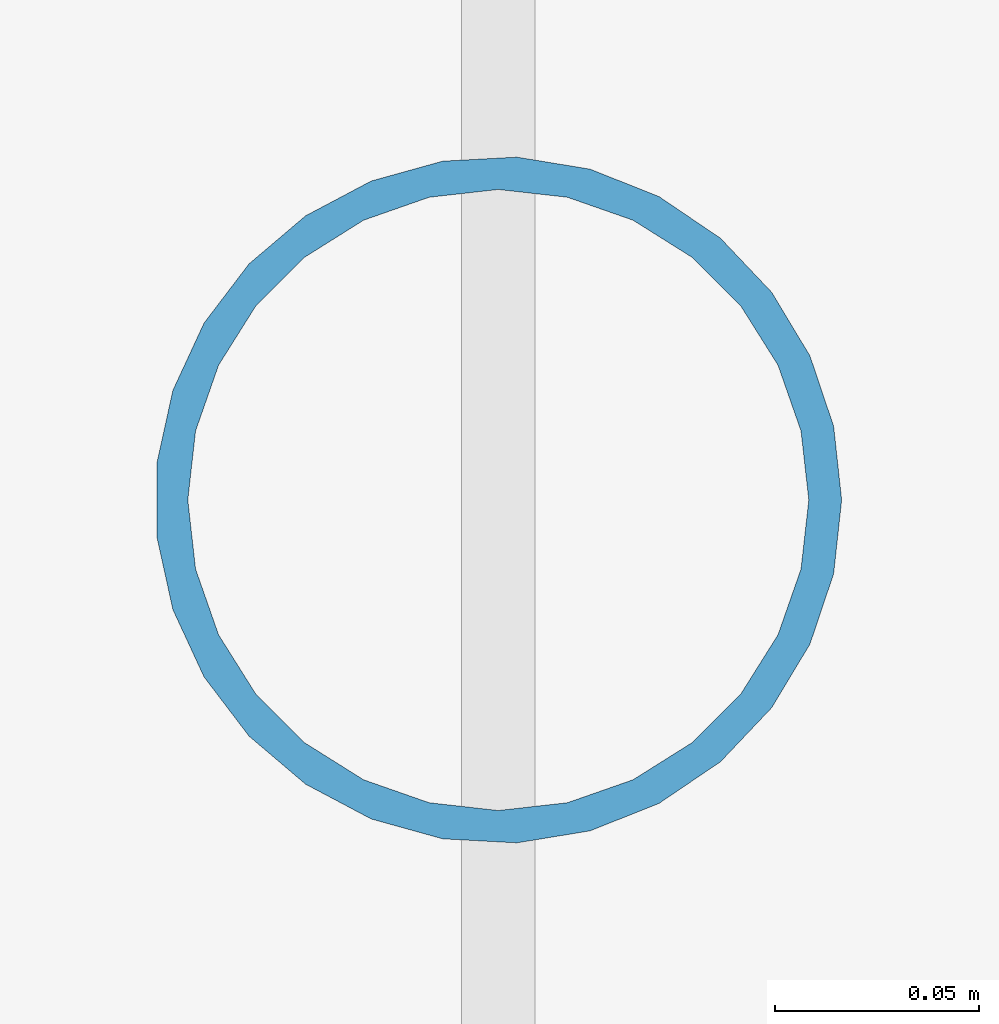
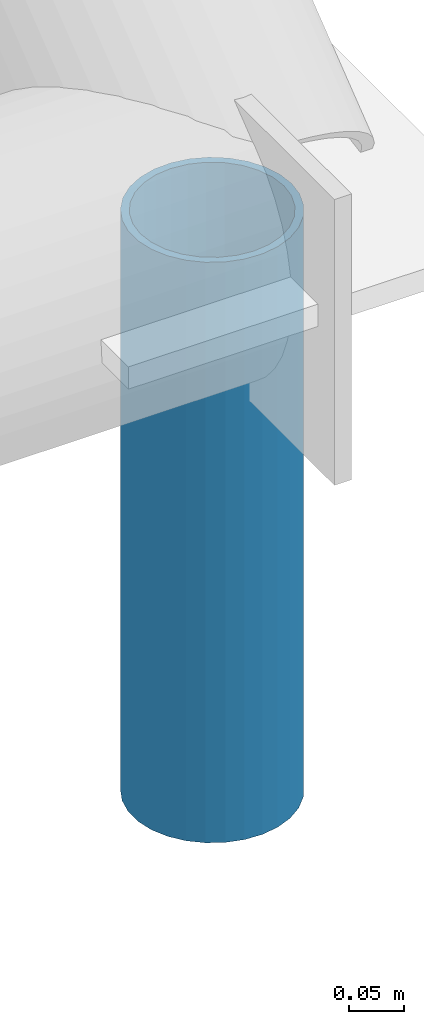
# One storey, part 73 of 82: 1 member.
"""IFC4 building model written with IfcOpenShell, lengths in metres."""

from ifc_helpers import new_model, si_unit, direction, frame, origin, origin_2d, place, context, subcontext, project, spatial, hollow_circle, extrude, material, material_profile, profile_set, type_object, element, save


model = new_model("IFC4")

# Units and contexts
model_context = context("Model", 3, precision=1e-05, world=origin(), true_north=direction((0.0, 1.0)))
body_context = subcontext(model_context, "Body", "Model", "MODEL_VIEW")
ifc_project = project(units=[si_unit("LENGTHUNIT", "METRE"), si_unit("AREAUNIT", "SQUARE_METRE"), si_unit("VOLUMEUNIT", "CUBIC_METRE"), si_unit("PLANEANGLEUNIT", "RADIAN"), si_unit("MASSUNIT", "GRAM", prefix="KILO")], contexts=[model_context])

# Site, building, storey
site_placement = place(None, origin())
site = spatial("IfcSite", under=ifc_project, at=site_placement, CompositionType="ELEMENT")
building_placement = place(site_placement, origin())
building = spatial("IfcBuilding", under=site, at=building_placement, Name="Bramfleet General Hospital", CompositionType="ELEMENT")
storey_placement = place(building_placement, frame((0.0, 0.0, 34.199951171875)))
storey = spatial("IfcBuildingStorey", under=building, at=storey_placement, Name="Roof", CompositionType="ELEMENT", Elevation=34.199951171875)

# Member
ifc_material = material(Name="Steel S355", Category="steel")
ifc_material_profile = material_profile(ifc_material, hollow_circle(Radius=0.084228515625, WallThickness=0.008056640625, at=origin_2d()), Name="CHS 168.3x8.0")
ifc_profile_set = profile_set([ifc_material_profile], Name="Steel S355")
member_type = type_object("IfcMemberType", Name="MEM-SF-DG1", PredefinedType="STRUT", material=ifc_profile_set)
member_placement = place(storey_placement, frame((91.949951171875, 17.25, -20.099853515625), z_axis=(0.0, 0.0, 1.0), x_axis=(1.0, 0.0, 0.0)))
element("IfcMember", 1, at=member_placement, inside=storey, type_object=member_type, Name="Space Frame Springing Pedestal 7-0", PredefinedType="STRUT", context=body_context, shape_type="SweptSolid", body=[
    extrude(hollow_circle(Radius=0.084228515625, WallThickness=0.008056640625, at=origin_2d()), origin(), (0.0, 0.0, 1.0), 0.64990234375),
])

save(model, "model.ifc")
